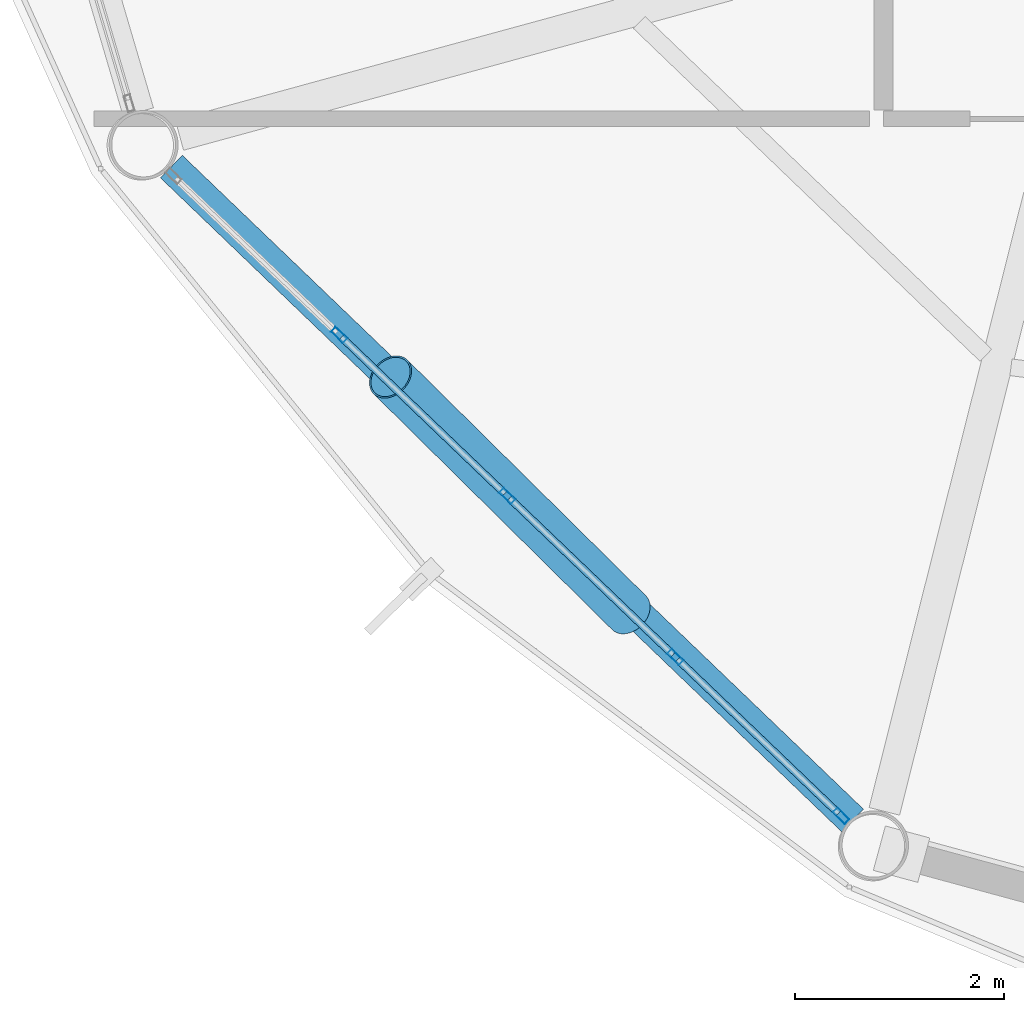
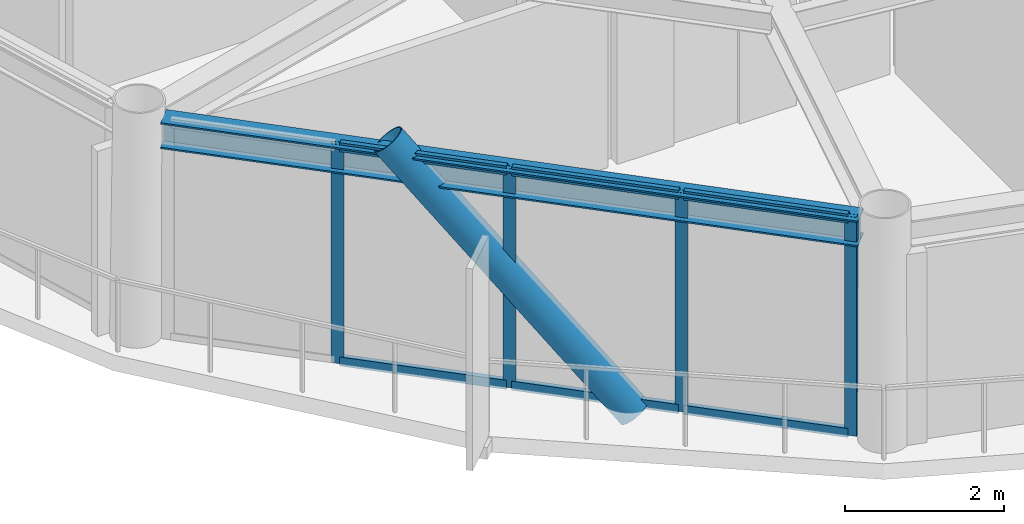
# One storey, part 2 of 28: 11 members, 1 beam, 1 element without a shape of its own.
"""IFC4 building model written with IfcOpenShell, lengths in metres."""

from ifc_helpers import new_model, si_unit, direction, frame, origin, origin_2d, place, context, subcontext, project, spatial, hollow_rectangle, hollow_circle, i_section, extrude, material, layer, layer_set, material_profile, profile_set, type_object, element, aggregate, save


model = new_model("IFC4")

# Units and contexts
model_context = context("Model", 3, precision=1e-05, world=origin(), true_north=direction((0.0, 1.0)))
body_context = subcontext(model_context, "Body", "Model", "MODEL_VIEW")
ifc_project = project(units=[si_unit("LENGTHUNIT", "METRE"), si_unit("AREAUNIT", "SQUARE_METRE"), si_unit("VOLUMEUNIT", "CUBIC_METRE"), si_unit("PLANEANGLEUNIT", "RADIAN"), si_unit("MASSUNIT", "GRAM", prefix="KILO")], contexts=[model_context])

# Site, building, storey
site_placement = place(None, origin())
site = spatial("IfcSite", under=ifc_project, at=site_placement, CompositionType="ELEMENT")
building_placement = place(site_placement, origin())
building = spatial("IfcBuilding", under=site, at=building_placement, Name="Varnakorn Sky Granary", CompositionType="ELEMENT")
storey_placement = place(building_placement, frame((0.0, 0.0, 207.60009765625)))
storey = spatial("IfcBuildingStorey", under=building, at=storey_placement, Name="L52", CompositionType="ELEMENT", Elevation=207.60009765625)

# Beam
ifc_material_1 = material(Name="Steel S355JR", Category="steel")
ifc_material_profile_1 = material_profile(ifc_material_1, i_section(OverallWidth=0.300048828125, OverallDepth=0.39990234375, WebThickness=0.013427734375, FlangeThickness=0.02392578125, at=origin_2d()), Name="HE 400 B")
ifc_profile_set_1 = profile_set([ifc_material_profile_1], Name="Steel S355JR")
beam_type = type_object("IfcBeamType", Name="BM-SPD-Z4", PredefinedType="SPANDREL", material=ifc_profile_set_1)
beam_placement = place(storey_placement, frame((-11.41015625, -9.356201171875, 3.159912109375), z_axis=(0.72139758679, -0.692521134532, 0.0), x_axis=(0.692521134532, 0.72139758679, 0.0)))
element("IfcBeam", 1, at=beam_placement, inside=storey, type_object=beam_type, Name="Perimeter Spandrel Ring Beam RB08 L52", PredefinedType="SPANDREL", context=body_context, shape_type="SweptSolid", body=[
    extrude(i_section(OverallWidth=0.300048828125, OverallDepth=0.39990234375, WebThickness=0.013427734375, FlangeThickness=0.02392578125, at=origin_2d()), origin(), (0.0, 0.0, 1.0), 9.029541015625),
])

# Curtain wall, members
ifc_material_2 = material(Name="Anodised Bronze Aluminium Alloy 6063-T6", Category="aluminium")
ifc_layer = layer(ifc_material_2, 0.169921875, Name="Anodised Bronze Aluminium Alloy 6063-T6")
ifc_layer_set = layer_set([ifc_layer], Name="Anodised Bronze Aluminium Alloy 6063-T6")
curtain_wall_type = type_object("IfcCurtainWallType", Name="CW-LAB-1", PredefinedType="USERDEFINED", material=ifc_layer_set)
curtain_wall_placement = place(storey_placement, origin())
curtain_wall = element("IfcCurtainWall", 2, at=curtain_wall_placement, inside=storey, type_object=curtain_wall_type, Name="Unitised Curtain Wall CW5 CW-L52-B08", ObjectType="CURTAIN WALL", PredefinedType="USERDEFINED")
ifc_material_profile_2 = material_profile(ifc_material_2, hollow_rectangle(XDim=0.06494140625, YDim=0.159912109375, WallThickness=0.00341796875, at=origin_2d()), Name="ALU MULL 65x160")
ifc_profile_set_2 = profile_set([ifc_material_profile_2], Name="Anodised Bronze Aluminium Alloy 6063-T6")
member_type_1 = type_object("IfcMemberType", Name="CW-LAB-1-MULL", PredefinedType="MULLION", material=ifc_profile_set_2)
member_1_placement = place(storey_placement, frame((-5.007568359375, -15.564453125, 0.0), z_axis=(0.0, 0.0, 1.0), x_axis=(-0.691923166337, -0.721971143389, 0.0)))
member_1 = element("IfcMember", 3, at=member_1_placement, type_object=member_type_1, Name="CW5 mullion 1", PredefinedType="MULLION", context=body_context, shape_type="SweptSolid", body=[
    extrude(hollow_rectangle(XDim=0.06494140625, YDim=0.159912109375, WallThickness=0.00341796875, at=origin_2d()), origin(), (0.0, 0.0, 1.0), 3.35986328125),
])
member_2_placement = place(storey_placement, frame((-6.591552734375, -14.04638671875, 0.0), z_axis=(0.0, 0.0, 1.0), x_axis=(-0.691923166337, -0.721971143389, 0.0)))
member_2 = element("IfcMember", 4, at=member_2_placement, type_object=member_type_1, Name="CW5 mullion 2", PredefinedType="MULLION", context=body_context, shape_type="SweptSolid", body=[
    extrude(hollow_rectangle(XDim=0.06494140625, YDim=0.159912109375, WallThickness=0.00341796875, at=origin_2d()), origin(), (0.0, 0.0, 1.0), 3.35986328125),
])
member_3_placement = place(storey_placement, frame((-8.198974609375, -12.505859375, 0.0), z_axis=(0.0, 0.0, 1.0), x_axis=(-0.691923166337, -0.721971143389, 0.0)))
member_3 = element("IfcMember", 5, at=member_3_placement, type_object=member_type_1, Name="CW5 mullion 3", PredefinedType="MULLION", context=body_context, shape_type="SweptSolid", body=[
    extrude(hollow_rectangle(XDim=0.06494140625, YDim=0.159912109375, WallThickness=0.00341796875, at=origin_2d()), origin(), (0.0, 0.0, 1.0), 3.35986328125),
])
member_4_placement = place(storey_placement, frame((-9.806396484375, -10.96533203125, 0.0), z_axis=(0.0, 0.0, 1.0), x_axis=(-0.691923166337, -0.721971143389, 0.0)))
member_4 = element("IfcMember", 6, at=member_4_placement, type_object=member_type_1, Name="CW5 mullion 4", PredefinedType="MULLION", context=body_context, shape_type="SweptSolid", body=[
    extrude(hollow_rectangle(XDim=0.06494140625, YDim=0.159912109375, WallThickness=0.00341796875, at=origin_2d()), origin(), (0.0, 0.0, 1.0), 3.35986328125),
])
ifc_material_profile_3 = material_profile(ifc_material_2, hollow_rectangle(XDim=0.070068359375, YDim=0.139892578125, WallThickness=0.00341796875, at=origin_2d()), Name="ALU TRAN 70x140")
ifc_profile_set_3 = profile_set([ifc_material_profile_3], Name="Anodised Bronze Aluminium Alloy 6063-T6")
member_type_2 = type_object("IfcMemberType", Name="CW-LAB-1-TRAN", PredefinedType="USERDEFINED", material=ifc_profile_set_3)
member_5_placement = place(storey_placement, frame((-5.031005859375, -15.5419921875, 0.034912109375), z_axis=(-0.72196911029, 0.691925287721, 0.0), x_axis=(-0.691925287721, -0.72196911029, 0.0)))
member_5 = element("IfcMember", 7, at=member_5_placement, type_object=member_type_2, Name="CW5 transom 1.1", ObjectType="TRANSOM", PredefinedType="USERDEFINED", context=body_context, shape_type="SweptSolid", body=[
    extrude(hollow_rectangle(XDim=0.070068359375, YDim=0.139892578125, WallThickness=0.00341796875, at=origin_2d()), origin(), (0.0, 0.0, 1.0), 2.129150390625),
])
member_6_placement = place(storey_placement, frame((-5.031005859375, -15.5419921875, 3.324951171875), z_axis=(-0.72196911029, 0.691925287721, 0.0), x_axis=(-0.691925287721, -0.72196911029, 0.0)))
member_6 = element("IfcMember", 8, at=member_6_placement, type_object=member_type_2, Name="CW5 transom 1.2", ObjectType="TRANSOM", PredefinedType="USERDEFINED", context=body_context, shape_type="SweptSolid", body=[
    extrude(hollow_rectangle(XDim=0.070068359375, YDim=0.139892578125, WallThickness=0.00341796875, at=origin_2d()), origin(), (0.0, 0.0, 1.0), 2.129150390625),
])
member_7_placement = place(storey_placement, frame((-6.614990234375, -14.02392578125, 0.034912109375), z_axis=(-0.721969397067, 0.691924988491, 0.0), x_axis=(-0.691924988491, -0.721969397067, 0.0)))
member_7 = element("IfcMember", 9, at=member_7_placement, type_object=member_type_2, Name="CW5 transom 2.1", ObjectType="TRANSOM", PredefinedType="USERDEFINED", context=body_context, shape_type="SweptSolid", body=[
    extrude(hollow_rectangle(XDim=0.070068359375, YDim=0.139892578125, WallThickness=0.00341796875, at=origin_2d()), origin(), (0.0, 0.0, 1.0), 2.16162109375),
])
member_8_placement = place(storey_placement, frame((-6.614990234375, -14.02392578125, 3.324951171875), z_axis=(-0.721969397067, 0.691924988491, 0.0), x_axis=(-0.691924988491, -0.721969397067, 0.0)))
member_8 = element("IfcMember", 10, at=member_8_placement, type_object=member_type_2, Name="CW5 transom 2.2", ObjectType="TRANSOM", PredefinedType="USERDEFINED", context=body_context, shape_type="SweptSolid", body=[
    extrude(hollow_rectangle(XDim=0.070068359375, YDim=0.139892578125, WallThickness=0.00341796875, at=origin_2d()), origin(), (0.0, 0.0, 1.0), 2.16162109375),
])
member_9_placement = place(storey_placement, frame((-8.222412109375, -12.4833984375, 0.034912109375), z_axis=(-0.721969397067, 0.691924988491, 0.0), x_axis=(-0.691924988491, -0.721969397067, 0.0)))
member_9 = element("IfcMember", 11, at=member_9_placement, type_object=member_type_2, Name="CW5 transom 3.1", ObjectType="TRANSOM", PredefinedType="USERDEFINED", context=body_context, shape_type="SweptSolid", body=[
    extrude(hollow_rectangle(XDim=0.070068359375, YDim=0.139892578125, WallThickness=0.00341796875, at=origin_2d()), origin(), (0.0, 0.0, 1.0), 2.16162109375),
])
member_10_placement = place(storey_placement, frame((-8.222412109375, -12.4833984375, 3.324951171875), z_axis=(-0.721969397067, 0.691924988491, 0.0), x_axis=(-0.691924988491, -0.721969397067, 0.0)))
member_10 = element("IfcMember", 12, at=member_10_placement, type_object=member_type_2, Name="CW5 transom 3.2", ObjectType="TRANSOM", PredefinedType="USERDEFINED", context=body_context, shape_type="SweptSolid", body=[
    extrude(hollow_rectangle(XDim=0.070068359375, YDim=0.139892578125, WallThickness=0.00341796875, at=origin_2d()), origin(), (0.0, 0.0, 1.0), 2.16162109375),
])
aggregate(curtain_wall, [member_1, member_2, member_3, member_4, member_5, member_6, member_7, member_8, member_9, member_10])

# Member
ifc_material_3 = material(Name="Steel S460M", Category="steel")
ifc_material_profile_4 = material_profile(ifc_material_3, hollow_circle(Radius=0.228515625, WallThickness=0.01611328125, at=origin_2d()), Name="CHS 457x16")
ifc_profile_set_4 = profile_set([ifc_material_profile_4], Name="Steel S460M")
member_type_3 = type_object("IfcMemberType", Name="MB-DIAG-T3", PredefinedType="BRACE", material=ifc_profile_set_4)
member_11_placement = place(storey_placement, frame((-7.033447265625, -13.622802734375, -0.130126953125), z_axis=(-0.471652416332, 0.466200954329, 0.748465542527), x_axis=(-0.702984704357, -0.711204967249, 0.0)))
element("IfcMember", 13, at=member_11_placement, inside=storey, type_object=member_type_3, Name="Perimeter CHS Diagrid Brace DG08 L52", PredefinedType="BRACE", context=body_context, shape_type="SweptSolid", body=[
    extrude(hollow_circle(Radius=0.228515625, WallThickness=0.01611328125, at=origin_2d()), origin(), (0.0, 0.0, 1.0), 4.836669921875),
])

save(model, "model.ifc")
